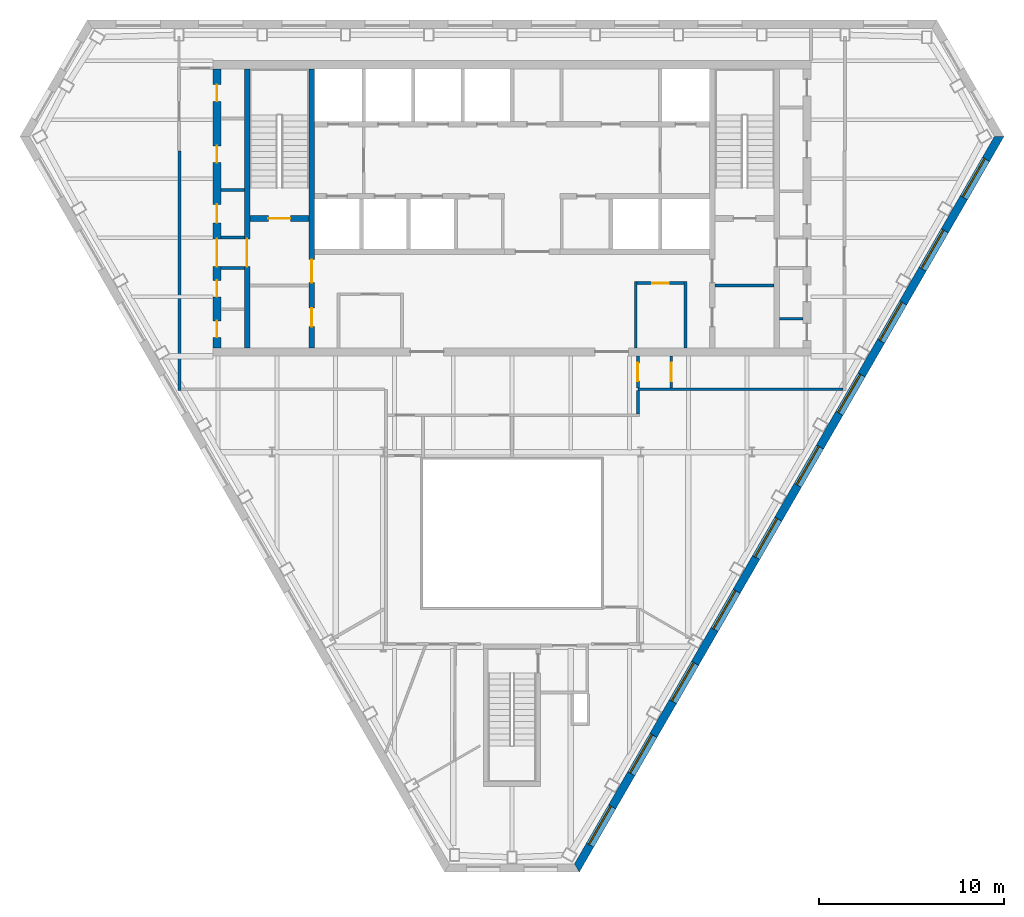
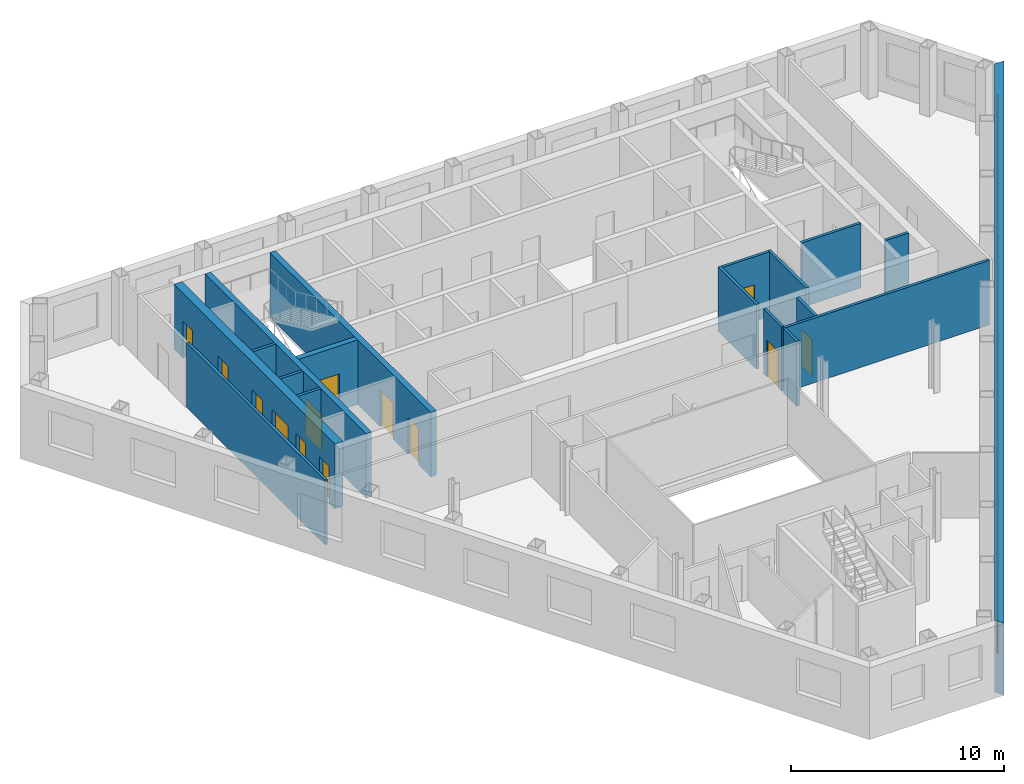
# One storey, part 5 of 11: 18 walls, 13 doors, 10 windows, 23 openings.
"""IFC4 building model written with IfcOpenShell, lengths in metres."""

from ifc_helpers import new_model, si_unit, direction, frame, frame_2d, origin, place, context, subcontext, project, spatial, polyline, rectangle, outline, extrude, material, layer, layer_set, type_object, element, fill, save


model = new_model("IFC4")

# Units and contexts
model_context = context("Model", 3, precision=1e-05, world=origin(), true_north=direction((0.0, 1.0)))
body_context = subcontext(model_context, "Body", "Model", "MODEL_VIEW")
ifc_project = project(units=[si_unit("LENGTHUNIT", "METRE"), si_unit("AREAUNIT", "SQUARE_METRE"), si_unit("VOLUMEUNIT", "CUBIC_METRE"), si_unit("PLANEANGLEUNIT", "RADIAN"), si_unit("MASSUNIT", "GRAM", prefix="KILO")], contexts=[model_context])

# Site, building, storey
site_placement = place(None, origin())
site = spatial("IfcSite", under=ifc_project, at=site_placement, CompositionType="ELEMENT")
building_placement = place(site_placement, origin())
building = spatial("IfcBuilding", under=site, at=building_placement, Name="Njiva Tower", CompositionType="ELEMENT")
storey_placement = place(building_placement, frame((0.0, 0.0, 212.1)))
storey = spatial("IfcBuildingStorey", under=building, at=storey_placement, Name="L47", CompositionType="ELEMENT", Elevation=212.1)

# Walls
ifc_material_1 = material(Name="Blockwork", Category="masonry")
ifc_layer_1 = layer(ifc_material_1, 0.15)
ifc_layer_set_1 = layer_set([ifc_layer_1], Name="Blockwork")
wall_type_1 = type_object("IfcWallType", Name="WT1 Compartment partition 150", PredefinedType="PARTITIONING", material=ifc_layer_set_1)
wall_1_placement = place(storey_placement, frame((11.0, 5.825, 0.0), z_axis=(0.0, 0.0, 1.0), x_axis=(1.0, 0.0, 0.0)))
element("IfcWall", 1, at=wall_1_placement, inside=storey, type_object=wall_type_1, Name="Room wall B", PredefinedType="PARTITIONING", context=body_context, shape_type="SweptSolid", body=[
    extrude(rectangle(XDim=3.2, YDim=0.15, at=frame_2d((1.6, 0.0))), origin(), (0.0, 0.0, 1.0), 3.7),
])
for number, where, z_axis, x_axis, name in (
    (2, (-15.75, 10.9952, 0.0), (0.0, 0.0, 1.0), (1.0, 0.0, 0.0), "Partition strip W10"),
    (3, (14.5, 4.025, 0.0), (0.0, 0.0, 1.0), (1.0, 0.0, 0.0), "Partition strip E00"),
):
    element("IfcWall", number, at=place(storey_placement, frame(where, z_axis=z_axis, x_axis=x_axis)), inside=storey, type_object=wall_type_1, Name=name, PredefinedType="PARTITIONING", context=body_context, shape_type="SweptSolid", body=[
        extrude(rectangle(XDim=1.25, YDim=0.15, at=frame_2d((0.625, 0.0))), origin(), (0.0, 0.0, 1.0), 3.7),
    ])
for number, where, z_axis, x_axis, name in (
    (4, (6.7, 2.45, 0.0), (0.0, 0.0, 1.0), (0.0, 1.0, 0.0), "Information office wall west"),
    (5, (9.4, 2.45, 0.0), (0.0, 0.0, 1.0), (0.0, 1.0, 0.0), "Information office wall east"),
):
    element("IfcWall", number, at=place(storey_placement, frame(where, z_axis=z_axis, x_axis=x_axis)), inside=storey, type_object=wall_type_1, Name=name, PredefinedType="PARTITIONING", context=body_context, shape_type="SweptSolid", body=[
        extrude(rectangle(XDim=3.575, YDim=0.15, at=frame_2d((1.7875, 0.0))), origin(), (0.0, 0.0, 1.0), 3.7),
    ])

# Wall, opening, door
wall_2_placement = place(storey_placement, frame((6.775, 5.95, 0.0), z_axis=(0.0, 0.0, 1.0), x_axis=(1.0, 0.0, 0.0)))
wall_2 = element("IfcWall", 6, at=wall_2_placement, inside=storey, type_object=wall_type_1, Name="Information office wall north", PredefinedType="PARTITIONING", context=body_context, shape_type="SweptSolid", body=[
    extrude(rectangle(XDim=2.55, YDim=0.15, at=frame_2d((1.275, 0.0))), origin(), (0.0, 0.0, 1.0), 3.7),
])
opening_1_placement = place(wall_2_placement, frame((0.825, 0.0, 0.0)))
opening_1 = element("IfcOpeningElement", 7, at=opening_1_placement, cuts=wall_2, Name="Opening S15-D936", PredefinedType="OPENING", context=body_context, shape_type="SweptSolid", body=[
    extrude(rectangle(XDim=0.9, YDim=2.1, at=frame_2d((0.45, 1.05))), frame((0.0, 0.085, 0.0), z_axis=(0.0, -1.0, 0.0), x_axis=(1.0, 0.0, 0.0)), (0.0, 0.0, 1.0), 0.17),
])
ifc_material_2 = material(Name="Steel fire door, painted", Category="steel")
door_type_1 = type_object("IfcDoorType", Name="D6 Fire-rated door 900x2100", OperationType="SINGLE_SWING_LEFT", PredefinedType="DOOR", material=ifc_material_2)
door_1_placement = place(opening_1_placement, origin())
door_1 = element("IfcDoor", 8, at=door_1_placement, inside=storey, type_object=door_type_1, Name="Information office door", OperationType="SINGLE_SWING_RIGHT", OverallHeight=2.1, OverallWidth=0.9, PredefinedType="DOOR", context=body_context, shape_type="SweptSolid", body=[
    extrude(rectangle(XDim=0.9, YDim=2.1, at=frame_2d((0.45, 1.05))), frame((0.0, 0.025, 0.0), z_axis=(0.0, -1.0, 0.0), x_axis=(1.0, 0.0, 0.0)), (0.0, 0.0, 1.0), 0.05),
])
fill(opening_1, door_1)

# Wall, openings, doors
ifc_material_3 = material(Name="Concrete C40/50", Category="concrete")
ifc_layer_2 = layer(ifc_material_3, 0.3)
ifc_layer_set_2 = layer_set([ifc_layer_2], Name="Concrete C40/50")
wall_type_2 = type_object("IfcWallType", Name="WT10 Stair enclosure wall 300", PredefinedType="SHEAR", material=ifc_layer_set_2)
wall_3_placement = place(storey_placement, frame((-10.85, 2.45, 0.0), z_axis=(0.0, 0.0, 1.0), x_axis=(0.0, 1.0, 0.0)))
wall_3 = element("IfcWall", 9, at=wall_3_placement, inside=storey, type_object=wall_type_2, Name="Stair wall west inner", PredefinedType="SHEAR", context=body_context, shape_type="SweptSolid", body=[
    extrude(rectangle(XDim=15.1, YDim=0.3, at=frame_2d((7.55, 0.0))), origin(), (0.0, 0.0, 1.0), 3.7),
])
opening_2_placement = place(wall_3_placement, frame((3.525, 0.0, 0.0)))
opening_2 = element("IfcOpeningElement", 10, at=opening_2_placement, cuts=wall_3, Name="Opening S15-D915", PredefinedType="OPENING", context=body_context, shape_type="SweptSolid", body=[
    extrude(rectangle(XDim=1.25, YDim=2.1, at=frame_2d((0.625, 1.05))), frame((0.0, 0.16, 0.0), z_axis=(0.0, -1.0, 0.0), x_axis=(1.0, 0.0, 0.0)), (0.0, 0.0, 1.0), 0.32),
])
opening_3_placement = place(wall_3_placement, frame((1.15, 0.0, 0.0)))
opening_3 = element("IfcOpeningElement", 11, at=opening_3_placement, cuts=wall_3, Name="Opening S15-D916", PredefinedType="OPENING", context=body_context, shape_type="SweptSolid", body=[
    extrude(rectangle(XDim=1.0, YDim=2.1, at=frame_2d((0.5, 1.05))), frame((0.0, 0.16, 0.0), z_axis=(0.0, -1.0, 0.0), x_axis=(1.0, 0.0, 0.0)), (0.0, 0.0, 1.0), 0.32),
])
ifc_material_4 = material(Name="Steel door, painted", Category="steel")
door_type_2 = type_object("IfcDoorType", Name="D5 Steel door 1000x2100", OperationType="SINGLE_SWING_LEFT", PredefinedType="DOOR", material=ifc_material_4)
door_2_placement = place(opening_3_placement, origin())
door_2 = element("IfcDoor", 12, at=door_2_placement, inside=storey, type_object=door_type_2, Name="Breakout room door", OperationType="SINGLE_SWING_RIGHT", OverallHeight=2.1, OverallWidth=1.0, PredefinedType="DOOR", context=body_context, shape_type="SweptSolid", body=[
    extrude(rectangle(XDim=1.0, YDim=2.1, at=frame_2d((0.5, 1.05))), frame((0.0, 0.025, 0.0), z_axis=(0.0, -1.0, 0.0), x_axis=(1.0, 0.0, 0.0)), (0.0, 0.0, 1.0), 0.05),
])
fill(opening_3, door_2)
ifc_material_5 = material(Name="Glazed steel fire door", Category="steel")
door_type_3 = type_object("IfcDoorType", Name="D8 Vestibule corridor door 1250x2100 glazed", OperationType="SINGLE_SWING_LEFT", PredefinedType="DOOR", material=ifc_material_5)
door_3_placement = place(opening_2_placement, origin())
door_3 = element("IfcDoor", 13, at=door_3_placement, inside=storey, type_object=door_type_3, Name="Stair vestibule corridor door", OperationType="SINGLE_SWING_LEFT", OverallHeight=2.1, OverallWidth=1.25, PredefinedType="DOOR", context=body_context, shape_type="SweptSolid", body=[
    extrude(rectangle(XDim=1.25, YDim=2.1, at=frame_2d((0.625, 1.05))), frame((0.0, 0.025, 0.0), z_axis=(0.0, -1.0, 0.0), x_axis=(1.0, 0.0, 0.0)), (0.0, 0.0, 1.0), 0.05),
])
fill(opening_2, door_3)

# Wall, opening, door
wall_4_placement = place(storey_placement, frame((-14.35, 2.45, 0.0), z_axis=(0.0, 0.0, 1.0), x_axis=(0.0, 1.0, 0.0)))
wall_4 = element("IfcWall", 14, at=wall_4_placement, inside=storey, type_object=wall_type_2, Name="Stair wall west outer", PredefinedType="SHEAR", context=body_context, shape_type="SweptSolid", body=[
    extrude(rectangle(XDim=15.1, YDim=0.3, at=frame_2d((7.55, 0.0))), origin(), (0.0, 0.0, 1.0), 3.7),
])
opening_4_placement = place(wall_4_placement, frame((4.4, 0.0, 0.0)))
opening_4 = element("IfcOpeningElement", 15, at=opening_4_placement, cuts=wall_4, Name="Opening S15-D921", PredefinedType="OPENING", context=body_context, shape_type="SweptSolid", body=[
    extrude(rectangle(XDim=1.5, YDim=2.1, at=frame_2d((0.75, 1.05))), frame((0.0, 0.16, 0.0), z_axis=(0.0, -1.0, 0.0), x_axis=(1.0, 0.0, 0.0)), (0.0, 0.0, 1.0), 0.32),
])
door_type_4 = type_object("IfcDoorType", Name="D10 Exit door double 1500x2100 glazed", OperationType="DOUBLE_DOOR_SINGLE_SWING", PredefinedType="DOOR", material=ifc_material_5)
door_4_placement = place(opening_4_placement, origin())
door_4 = element("IfcDoor", 16, at=door_4_placement, inside=storey, type_object=door_type_4, Name="Stair A passage door", OperationType="DOUBLE_DOOR_SINGLE_SWING", OverallHeight=2.1, OverallWidth=1.5, PredefinedType="DOOR", context=body_context, shape_type="SweptSolid", body=[
    extrude(rectangle(XDim=1.5, YDim=2.1, at=frame_2d((0.75, 1.05))), frame((0.0, 0.025, 0.0), z_axis=(0.0, -1.0, 0.0), x_axis=(1.0, 0.0, 0.0)), (0.0, 0.0, 1.0), 0.05),
])
fill(opening_4, door_4)

wall_5_placement = place(storey_placement, frame((-14.2, 9.45, 0.0), z_axis=(0.0, 0.0, 1.0), x_axis=(1.0, 0.0, 0.0)))
wall_5 = element("IfcWall", 17, at=wall_5_placement, inside=storey, type_object=wall_type_2, Name="Stair A south wall", PredefinedType="SHEAR", context=body_context, shape_type="SweptSolid", body=[
    extrude(rectangle(XDim=3.2, YDim=0.3, at=frame_2d((1.6, 0.0))), origin(), (0.0, 0.0, 1.0), 3.7),
])
opening_5_placement = place(wall_5_placement, frame((1.0, 0.0, 0.0)))
opening_5 = element("IfcOpeningElement", 18, at=opening_5_placement, cuts=wall_5, Name="Opening S15-D914", PredefinedType="OPENING", context=body_context, shape_type="SweptSolid", body=[
    extrude(rectangle(XDim=1.2, YDim=2.1, at=frame_2d((0.6, 1.05))), frame((0.0, 0.16, 0.0), z_axis=(0.0, -1.0, 0.0), x_axis=(1.0, 0.0, 0.0)), (0.0, 0.0, 1.0), 0.32),
])
door_type_5 = type_object("IfcDoorType", Name="D7 Stair vestibule door 1200x2100 glazed", OperationType="SINGLE_SWING_LEFT", PredefinedType="DOOR", material=ifc_material_5)
door_5_placement = place(opening_5_placement, origin())
door_5 = element("IfcDoor", 19, at=door_5_placement, inside=storey, type_object=door_type_5, Name="Stair A door", OperationType="SINGLE_SWING_LEFT", OverallHeight=2.1, OverallWidth=1.2, PredefinedType="DOOR", context=body_context, shape_type="SweptSolid", body=[
    extrude(rectangle(XDim=1.2, YDim=2.1, at=frame_2d((0.6, 1.05))), frame((0.0, 0.025, 0.0), z_axis=(0.0, -1.0, 0.0), x_axis=(1.0, 0.0, 0.0)), (0.0, 0.0, 1.0), 0.05),
])
fill(opening_5, door_5)

# Wall, openings, doors
ifc_material_6 = material(Name="Concrete C60/75", Category="concrete")
ifc_layer_3 = layer(ifc_material_6, 0.45)
ifc_layer_set_3 = layer_set([ifc_layer_3], Name="Concrete C60/75")
wall_type_3 = type_object("IfcWallType", Name="WT12 Core wall 450", PredefinedType="SHEAR", material=ifc_layer_set_3)
wall_6_placement = place(storey_placement, frame((-15.975, 2.45, 0.0), z_axis=(0.0, 0.0, 1.0), x_axis=(0.0, 1.0, 0.0)))
wall_6 = element("IfcWall", 20, at=wall_6_placement, inside=storey, type_object=wall_type_3, Name="Core wall west", PredefinedType="SHEAR", context=body_context, shape_type="SweptSolid", body=[
    extrude(rectangle(XDim=15.1, YDim=0.45, at=frame_2d((7.55, 0.0))), origin(), (0.0, 0.0, 1.0), 3.7),
])
opening_6_placement = place(wall_6_placement, frame((4.4, 0.0, 0.0)))
opening_6 = element("IfcOpeningElement", 21, at=opening_6_placement, cuts=wall_6, Name="Opening S15-D922", PredefinedType="OPENING", context=body_context, shape_type="SweptSolid", body=[
    extrude(rectangle(XDim=1.5, YDim=2.1, at=frame_2d((0.75, 1.05))), frame((0.0, 0.235, 0.0), z_axis=(0.0, -1.0, 0.0), x_axis=(1.0, 0.0, 0.0)), (0.0, 0.0, 1.0), 0.47),
])
opening_7_placement = place(wall_6_placement, frame((0.5557, 0.0, 0.0)))
opening_7 = element("IfcOpeningElement", 22, at=opening_7_placement, cuts=wall_6, Name="Opening S15-D923", PredefinedType="OPENING", context=body_context, shape_type="SweptSolid", body=[
    extrude(rectangle(XDim=0.9, YDim=2.1, at=frame_2d((0.45, 1.05))), frame((0.0, 0.235, 0.0), z_axis=(0.0, -1.0, 0.0), x_axis=(1.0, 0.0, 0.0)), (0.0, 0.0, 1.0), 0.47),
])
opening_8_placement = place(wall_6_placement, frame((2.7557, 0.0, 0.0)))
opening_8 = element("IfcOpeningElement", 23, at=opening_8_placement, cuts=wall_6, Name="Opening S15-D924", PredefinedType="OPENING", context=body_context, shape_type="SweptSolid", body=[
    extrude(rectangle(XDim=0.9, YDim=2.1, at=frame_2d((0.45, 1.05))), frame((0.0, 0.235, 0.0), z_axis=(0.0, -1.0, 0.0), x_axis=(1.0, 0.0, 0.0)), (0.0, 0.0, 1.0), 0.47),
])
opening_9_placement = place(wall_6_placement, frame((6.7601, 0.0, 0.0)))
opening_9 = element("IfcOpeningElement", 24, at=opening_9_placement, cuts=wall_6, Name="Opening S15-D925", PredefinedType="OPENING", context=body_context, shape_type="SweptSolid", body=[
    extrude(rectangle(XDim=1.0, YDim=2.1, at=frame_2d((0.5, 1.05))), frame((0.0, 0.235, 0.0), z_axis=(0.0, -1.0, 0.0), x_axis=(1.0, 0.0, 0.0)), (0.0, 0.0, 1.0), 0.47),
])
opening_10_placement = place(wall_6_placement, frame((10.0319, 0.0, 0.0)))
opening_10 = element("IfcOpeningElement", 25, at=opening_10_placement, cuts=wall_6, Name="Opening S15-D926", PredefinedType="OPENING", context=body_context, shape_type="SweptSolid", body=[
    extrude(rectangle(XDim=0.9, YDim=2.1, at=frame_2d((0.45, 1.05))), frame((0.0, 0.235, 0.0), z_axis=(0.0, -1.0, 0.0), x_axis=(1.0, 0.0, 0.0)), (0.0, 0.0, 1.0), 0.47),
])
opening_11_placement = place(wall_6_placement, frame((13.3468, 0.0, 0.0)))
opening_11 = element("IfcOpeningElement", 26, at=opening_11_placement, cuts=wall_6, Name="Opening S15-D927", PredefinedType="OPENING", context=body_context, shape_type="SweptSolid", body=[
    extrude(rectangle(XDim=0.9, YDim=2.1, at=frame_2d((0.45, 1.05))), frame((0.0, 0.235, 0.0), z_axis=(0.0, -1.0, 0.0), x_axis=(1.0, 0.0, 0.0)), (0.0, 0.0, 1.0), 0.47),
])
door_6_placement = place(opening_6_placement, origin())
door_6 = element("IfcDoor", 27, at=door_6_placement, inside=storey, type_object=door_type_4, Name="Stair A corridor door", OperationType="DOUBLE_DOOR_SINGLE_SWING", OverallHeight=2.1, OverallWidth=1.5, PredefinedType="DOOR", context=body_context, shape_type="SweptSolid", body=[
    extrude(rectangle(XDim=1.5, YDim=2.1, at=frame_2d((0.75, 1.05))), frame((0.0, 0.025, 0.0), z_axis=(0.0, -1.0, 0.0), x_axis=(1.0, 0.0, 0.0)), (0.0, 0.0, 1.0), 0.05),
])
fill(opening_6, door_6)
door_type_6 = type_object("IfcDoorType", Name="D4 Riser door 900x2100", OperationType="SINGLE_SWING_LEFT", PredefinedType="DOOR", material=ifc_material_4)
door_7_placement = place(opening_11_placement, origin())
door_7 = element("IfcDoor", 28, at=door_7_placement, inside=storey, type_object=door_type_6, Name="Cable riser door", OperationType="SINGLE_SWING_LEFT", OverallHeight=2.1, OverallWidth=0.9, PredefinedType="DOOR", context=body_context, shape_type="SweptSolid", body=[
    extrude(rectangle(XDim=0.9, YDim=2.1, at=frame_2d((0.45, 1.05))), frame((0.0, 0.025, 0.0), z_axis=(0.0, -1.0, 0.0), x_axis=(1.0, 0.0, 0.0)), (0.0, 0.0, 1.0), 0.05),
])
fill(opening_11, door_7)
door_8_placement = place(opening_9_placement, origin())
door_8 = element("IfcDoor", 29, at=door_8_placement, inside=storey, type_object=door_type_2, Name="Telecoms room door", OperationType="SINGLE_SWING_RIGHT", OverallHeight=2.1, OverallWidth=1.0, PredefinedType="DOOR", context=body_context, shape_type="SweptSolid", body=[
    extrude(rectangle(XDim=1.0, YDim=2.1, at=frame_2d((0.5, 1.05))), frame((0.0, 0.025, 0.0), z_axis=(0.0, -1.0, 0.0), x_axis=(1.0, 0.0, 0.0)), (0.0, 0.0, 1.0), 0.05),
])
fill(opening_9, door_8)
door_9_placement = place(opening_7_placement, origin())
door_9 = element("IfcDoor", 30, at=door_9_placement, inside=storey, type_object=door_type_1, Name="Cable store door", OperationType="SINGLE_SWING_RIGHT", OverallHeight=2.1, OverallWidth=0.9, PredefinedType="DOOR", context=body_context, shape_type="SweptSolid", body=[
    extrude(rectangle(XDim=0.9, YDim=2.1, at=frame_2d((0.45, 1.05))), frame((0.0, 0.025, 0.0), z_axis=(0.0, -1.0, 0.0), x_axis=(1.0, 0.0, 0.0)), (0.0, 0.0, 1.0), 0.05),
])
fill(opening_7, door_9)
door_10_placement = place(opening_8_placement, origin())
door_10 = element("IfcDoor", 31, at=door_10_placement, inside=storey, type_object=door_type_1, Name="Cable store door", OperationType="SINGLE_SWING_RIGHT", OverallHeight=2.1, OverallWidth=0.9, PredefinedType="DOOR", context=body_context, shape_type="SweptSolid", body=[
    extrude(rectangle(XDim=0.9, YDim=2.1, at=frame_2d((0.45, 1.05))), frame((0.0, 0.025, 0.0), z_axis=(0.0, -1.0, 0.0), x_axis=(1.0, 0.0, 0.0)), (0.0, 0.0, 1.0), 0.05),
])
fill(opening_8, door_10)
door_11_placement = place(opening_10_placement, origin())
door_11 = element("IfcDoor", 32, at=door_11_placement, inside=storey, type_object=door_type_1, Name="Cable store door", OperationType="SINGLE_SWING_LEFT", OverallHeight=2.1, OverallWidth=0.9, PredefinedType="DOOR", context=body_context, shape_type="SweptSolid", body=[
    extrude(rectangle(XDim=0.9, YDim=2.1, at=frame_2d((0.45, 1.05))), frame((0.0, 0.025, 0.0), z_axis=(0.0, -1.0, 0.0), x_axis=(1.0, 0.0, 0.0)), (0.0, 0.0, 1.0), 0.05),
])
fill(opening_10, door_11)

# Walls
ifc_material_7 = material(Name="Gypsum board on steel studs", Category="gypsum")
ifc_layer_4 = layer(ifc_material_7, 0.15)
ifc_layer_set_4 = layer_set([ifc_layer_4], Name="Gypsum board on steel studs")
wall_type_4 = type_object("IfcWallType", Name="WT21 Compartment wall 150", PredefinedType="PARTITIONING", material=ifc_layer_set_4)
wall_7_placement = place(storey_placement, frame((-18.0, 0.125, 0.0), z_axis=(0.0, 0.0, 1.0), x_axis=(0.0, 1.0, 0.0)))
element("IfcWall", 33, at=wall_7_placement, inside=storey, type_object=wall_type_4, Name="Partition S15-P003", PredefinedType="PARTITIONING", context=body_context, shape_type="SweptSolid", body=[
    extrude(rectangle(XDim=12.98, YDim=0.15, at=frame_2d((6.49, 0.0))), origin(), (0.0, 0.0, 1.0), 3.7),
])
wall_8_placement = place(storey_placement, frame((6.82, -1.125, 0.0), z_axis=(0.0, 0.0, 1.0), x_axis=(0.0, 1.0, 0.0)))
element("IfcWall", 34, at=wall_8_placement, inside=storey, type_object=wall_type_4, Name="Partition S15-P020", PredefinedType="PARTITIONING", context=body_context, shape_type="SweptSolid", body=[
    extrude(rectangle(XDim=1.25, YDim=0.15, at=frame_2d((0.625, 0.0))), origin(), (0.0, 0.0, 1.0), 3.7),
])

# Wall, opening, door
wall_9_placement = place(storey_placement, frame((6.82, 0.275, 0.0), z_axis=(0.0, 0.0, 1.0), x_axis=(0.0, 1.0, 0.0)))
wall_9 = element("IfcWall", 35, at=wall_9_placement, inside=storey, type_object=wall_type_4, Name="Partition S15-P021", PredefinedType="PARTITIONING", context=body_context, shape_type="SweptSolid", body=[
    extrude(rectangle(XDim=1.725, YDim=0.15, at=frame_2d((0.8625, 0.0))), origin(), (0.0, 0.0, 1.0), 3.7),
])
opening_12_placement = place(wall_9_placement, frame((0.362, 0.0, 0.0)))
opening_12 = element("IfcOpeningElement", 36, at=opening_12_placement, cuts=wall_9, Name="Opening S15-D011", PredefinedType="OPENING", context=body_context, shape_type="SweptSolid", body=[
    extrude(rectangle(XDim=1.0, YDim=2.1, at=frame_2d((0.5, 1.05))), frame((0.0, 0.085, 0.0), z_axis=(0.0, -1.0, 0.0), x_axis=(1.0, 0.0, 0.0)), (0.0, 0.0, 1.0), 0.17),
])
ifc_material_8 = material(Name="Steel fire door set", Category="steel")
door_type_7 = type_object("IfcDoorType", Name="D37 Fire door 1000x2100", OperationType="SINGLE_SWING_LEFT", PredefinedType="DOOR", material=ifc_material_8)
door_12_placement = place(opening_12_placement, origin())
door_12 = element("IfcDoor", 37, at=door_12_placement, inside=storey, type_object=door_type_7, Name="Door S15-D011", OperationType="SINGLE_SWING_LEFT", OverallHeight=2.1, OverallWidth=1.0, PredefinedType="DOOR", context=body_context, shape_type="SweptSolid", body=[
    extrude(rectangle(XDim=1.0, YDim=2.1, at=frame_2d((0.5, 1.05))), frame((0.0, 0.025, 0.0), z_axis=(0.0, -1.0, 0.0), x_axis=(1.0, 0.0, 0.0)), (0.0, 0.0, 1.0), 0.05),
])
fill(opening_12, door_12)

# Wall
wall_10_placement = place(storey_placement, frame((6.824, 0.2, 0.0), z_axis=(0.0, 0.0, 1.0), x_axis=(1.0, 0.0, 0.0)))
element("IfcWall", 38, at=wall_10_placement, inside=storey, type_object=wall_type_4, Name="Partition S15-P022", PredefinedType="PARTITIONING", context=body_context, shape_type="SweptSolid", body=[
    extrude(rectangle(XDim=11.101, YDim=0.15, at=frame_2d((5.5505, 0.0))), origin(), (0.0, 0.0, 1.0), 3.7),
])

# Wall, opening, door
wall_11_placement = place(storey_placement, frame((8.62, 0.275, 0.0), z_axis=(0.0, 0.0, 1.0), x_axis=(0.0, 1.0, 0.0)))
wall_11 = element("IfcWall", 39, at=wall_11_placement, inside=storey, type_object=wall_type_4, Name="Partition S15-P024", PredefinedType="PARTITIONING", context=body_context, shape_type="SweptSolid", body=[
    extrude(rectangle(XDim=1.725, YDim=0.15, at=frame_2d((0.8625, 0.0))), origin(), (0.0, 0.0, 1.0), 3.7),
])
opening_13_placement = place(wall_11_placement, frame((0.363, 0.0, 0.0)))
opening_13 = element("IfcOpeningElement", 40, at=opening_13_placement, cuts=wall_11, Name="Opening S15-D012", PredefinedType="OPENING", context=body_context, shape_type="SweptSolid", body=[
    extrude(rectangle(XDim=1.0, YDim=2.1, at=frame_2d((0.5, 1.05))), frame((0.0, 0.085, 0.0), z_axis=(0.0, -1.0, 0.0), x_axis=(1.0, 0.0, 0.0)), (0.0, 0.0, 1.0), 0.17),
])
door_13_placement = place(opening_13_placement, origin())
door_13 = element("IfcDoor", 41, at=door_13_placement, inside=storey, type_object=door_type_7, Name="Door S15-D012", OperationType="SINGLE_SWING_RIGHT", OverallHeight=2.1, OverallWidth=1.0, PredefinedType="DOOR", context=body_context, shape_type="SweptSolid", body=[
    extrude(rectangle(XDim=1.0, YDim=2.1, at=frame_2d((0.5, 1.05))), frame((0.0, 0.025, 0.0), z_axis=(0.0, -1.0, 0.0), x_axis=(1.0, 0.0, 0.0)), (0.0, 0.0, 1.0), 0.05),
])
fill(opening_13, door_13)

# Walls
ifc_layer_5 = layer(ifc_material_1, 0.15)
ifc_layer_set_5 = layer_set([ifc_layer_5], Name="Blockwork")
wall_type_5 = type_object("IfcWallType", Name="WT4 Stair partition 150", PredefinedType="PARTITIONING", material=ifc_layer_set_5)
for number, where, z_axis, x_axis, name in (
    (42, (-15.75, 6.775, 0.0), (0.0, 0.0, 1.0), (1.0, 0.0, 0.0), "Stair A exit passage wall south"),
    (43, (-15.75, 8.425, 0.0), (0.0, 0.0, 1.0), (1.0, 0.0, 0.0), "Stair A exit passage wall north"),
):
    element("IfcWall", number, at=place(storey_placement, frame(where, z_axis=z_axis, x_axis=x_axis)), inside=storey, type_object=wall_type_5, Name=name, PredefinedType="PARTITIONING", context=body_context, shape_type="SweptSolid", body=[
        extrude(rectangle(XDim=1.25, YDim=0.15, at=frame_2d((0.625, 0.0))), origin(), (0.0, 0.0, 1.0), 3.7),
    ])

# Wall, openings, windows
ifc_material_9 = material(Name="Brick masonry", Category="masonry")
ifc_layer_6 = layer(ifc_material_9, 0.45)
ifc_layer_set_6 = layer_set([ifc_layer_6], Name="Brick masonry")
wall_type_6 = type_object("IfcWallType", Name="WT90 Brick pier and spandrel wall 450", PredefinedType="SOLIDWALL", material=ifc_layer_set_6)
wall_12_placement = place(storey_placement, frame((3.5151, -25.7255, -0.4), z_axis=(0.0, 0.0, 1.0), x_axis=(0.499999764979, 0.866025539474, 0.0)))
wall_12 = element("IfcWall", 44, at=wall_12_placement, inside=storey, type_object=wall_type_6, Name="Facade wall SE", PredefinedType="SOLIDWALL", context=body_context, shape_type="SweptSolid", body=[
    extrude(outline(polyline([(-0.1299, -0.225), (45.8701, -0.225), (45.6103, 0.225), (0.1299, 0.225), (-0.1299, -0.225)])), origin(), (0.0, 0.0, 1.0), 4.12),
])
opening_14_placement = place(wall_12_placement, frame((1.4242, 0.0, 1.3)))
opening_14 = element("IfcOpeningElement", 45, at=opening_14_placement, cuts=wall_12, Name="Opening S15-W23", PredefinedType="OPENING", context=body_context, shape_type="SweptSolid", body=[
    extrude(rectangle(XDim=2.4, YDim=2.0, at=frame_2d((1.2, 1.0))), frame((0.0, 0.235, 0.0), z_axis=(0.0, -1.0, 0.0), x_axis=(1.0, 0.0, 0.0)), (0.0, 0.0, 1.0), 0.47),
])
opening_15_placement = place(wall_12_placement, frame((5.8934, 0.0, 1.3)))
opening_15 = element("IfcOpeningElement", 46, at=opening_15_placement, cuts=wall_12, Name="Opening S15-W24", PredefinedType="OPENING", context=body_context, shape_type="SweptSolid", body=[
    extrude(rectangle(XDim=2.4, YDim=2.0, at=frame_2d((1.2, 1.0))), frame((0.0, 0.235, 0.0), z_axis=(0.0, -1.0, 0.0), x_axis=(1.0, 0.0, 0.0)), (0.0, 0.0, 1.0), 0.47),
])
opening_16_placement = place(wall_12_placement, frame((10.401, 0.0, 1.3)))
opening_16 = element("IfcOpeningElement", 47, at=opening_16_placement, cuts=wall_12, Name="Opening S15-W25", PredefinedType="OPENING", context=body_context, shape_type="SweptSolid", body=[
    extrude(rectangle(XDim=2.4, YDim=2.0, at=frame_2d((1.2, 1.0))), frame((0.0, 0.235, 0.0), z_axis=(0.0, -1.0, 0.0), x_axis=(1.0, 0.0, 0.0)), (0.0, 0.0, 1.0), 0.47),
])
opening_17_placement = place(wall_12_placement, frame((14.9087, 0.0, 1.3)))
opening_17 = element("IfcOpeningElement", 48, at=opening_17_placement, cuts=wall_12, Name="Opening S15-W26", PredefinedType="OPENING", context=body_context, shape_type="SweptSolid", body=[
    extrude(rectangle(XDim=2.4, YDim=2.0, at=frame_2d((1.2, 1.0))), frame((0.0, 0.235, 0.0), z_axis=(0.0, -1.0, 0.0), x_axis=(1.0, 0.0, 0.0)), (0.0, 0.0, 1.0), 0.47),
])
opening_18_placement = place(wall_12_placement, frame((19.4163, 0.0, 1.3)))
opening_18 = element("IfcOpeningElement", 49, at=opening_18_placement, cuts=wall_12, Name="Opening S15-W27", PredefinedType="OPENING", context=body_context, shape_type="SweptSolid", body=[
    extrude(rectangle(XDim=2.4, YDim=2.0, at=frame_2d((1.2, 1.0))), frame((0.0, 0.235, 0.0), z_axis=(0.0, -1.0, 0.0), x_axis=(1.0, 0.0, 0.0)), (0.0, 0.0, 1.0), 0.47),
])
opening_19_placement = place(wall_12_placement, frame((23.9239, 0.0, 1.3)))
opening_19 = element("IfcOpeningElement", 50, at=opening_19_placement, cuts=wall_12, Name="Opening S15-W28", PredefinedType="OPENING", context=body_context, shape_type="SweptSolid", body=[
    extrude(rectangle(XDim=2.4, YDim=2.0, at=frame_2d((1.2, 1.0))), frame((0.0, 0.235, 0.0), z_axis=(0.0, -1.0, 0.0), x_axis=(1.0, 0.0, 0.0)), (0.0, 0.0, 1.0), 0.47),
])
opening_20_placement = place(wall_12_placement, frame((28.4315, 0.0, 1.3)))
opening_20 = element("IfcOpeningElement", 51, at=opening_20_placement, cuts=wall_12, Name="Opening S15-W29", PredefinedType="OPENING", context=body_context, shape_type="SweptSolid", body=[
    extrude(rectangle(XDim=2.4, YDim=2.0, at=frame_2d((1.2, 1.0))), frame((0.0, 0.235, 0.0), z_axis=(0.0, -1.0, 0.0), x_axis=(1.0, 0.0, 0.0)), (0.0, 0.0, 1.0), 0.47),
])
opening_21_placement = place(wall_12_placement, frame((32.9391, 0.0, 1.3)))
opening_21 = element("IfcOpeningElement", 52, at=opening_21_placement, cuts=wall_12, Name="Opening S15-W30", PredefinedType="OPENING", context=body_context, shape_type="SweptSolid", body=[
    extrude(rectangle(XDim=2.4, YDim=2.0, at=frame_2d((1.2, 1.0))), frame((0.0, 0.235, 0.0), z_axis=(0.0, -1.0, 0.0), x_axis=(1.0, 0.0, 0.0)), (0.0, 0.0, 1.0), 0.47),
])
opening_22_placement = place(wall_12_placement, frame((37.4468, 0.0, 1.3)))
opening_22 = element("IfcOpeningElement", 53, at=opening_22_placement, cuts=wall_12, Name="Opening S15-W31", PredefinedType="OPENING", context=body_context, shape_type="SweptSolid", body=[
    extrude(rectangle(XDim=2.4, YDim=2.0, at=frame_2d((1.2, 1.0))), frame((0.0, 0.235, 0.0), z_axis=(0.0, -1.0, 0.0), x_axis=(1.0, 0.0, 0.0)), (0.0, 0.0, 1.0), 0.47),
])
opening_23_placement = place(wall_12_placement, frame((41.916, 0.0, 1.3)))
opening_23 = element("IfcOpeningElement", 54, at=opening_23_placement, cuts=wall_12, Name="Opening S15-W32", PredefinedType="OPENING", context=body_context, shape_type="SweptSolid", body=[
    extrude(rectangle(XDim=2.4, YDim=2.0, at=frame_2d((1.2, 1.0))), frame((0.0, 0.235, 0.0), z_axis=(0.0, -1.0, 0.0), x_axis=(1.0, 0.0, 0.0)), (0.0, 0.0, 1.0), 0.47),
])
ifc_material_10 = material(Name="Clear glazing in aluminium frame", Category="aluminium")
window_type = type_object("IfcWindowType", Name="W90 Deep-set window 2400x2000", PartitioningType="SINGLE_PANEL", PredefinedType="WINDOW", material=ifc_material_10)
window_1_placement = place(opening_14_placement, origin())
window_1 = element("IfcWindow", 55, at=window_1_placement, inside=storey, type_object=window_type, Name="Window", OverallHeight=2.0, OverallWidth=2.4, PartitioningType="SINGLE_PANEL", PredefinedType="WINDOW", context=body_context, shape_type="SweptSolid", body=[
    extrude(rectangle(XDim=2.4, YDim=2.0, at=frame_2d((1.2, 1.0))), frame((0.0, 0.105, 0.0), z_axis=(0.0, -1.0, 0.0), x_axis=(1.0, 0.0, 0.0)), (0.0, 0.0, 1.0), 0.06),
])
fill(opening_14, window_1)
window_2_placement = place(opening_15_placement, origin())
window_2 = element("IfcWindow", 56, at=window_2_placement, inside=storey, type_object=window_type, Name="Window", OverallHeight=2.0, OverallWidth=2.4, PartitioningType="SINGLE_PANEL", PredefinedType="WINDOW", context=body_context, shape_type="SweptSolid", body=[
    extrude(rectangle(XDim=2.4, YDim=2.0, at=frame_2d((1.2, 1.0))), frame((0.0, 0.105, 0.0), z_axis=(0.0, -1.0, 0.0), x_axis=(1.0, 0.0, 0.0)), (0.0, 0.0, 1.0), 0.06),
])
fill(opening_15, window_2)
window_3_placement = place(opening_16_placement, origin())
window_3 = element("IfcWindow", 57, at=window_3_placement, inside=storey, type_object=window_type, Name="Window", OverallHeight=2.0, OverallWidth=2.4, PartitioningType="SINGLE_PANEL", PredefinedType="WINDOW", context=body_context, shape_type="SweptSolid", body=[
    extrude(rectangle(XDim=2.4, YDim=2.0, at=frame_2d((1.2, 1.0))), frame((0.0, 0.105, 0.0), z_axis=(0.0, -1.0, 0.0), x_axis=(1.0, 0.0, 0.0)), (0.0, 0.0, 1.0), 0.06),
])
fill(opening_16, window_3)
window_4_placement = place(opening_17_placement, origin())
window_4 = element("IfcWindow", 58, at=window_4_placement, inside=storey, type_object=window_type, Name="Window", OverallHeight=2.0, OverallWidth=2.4, PartitioningType="SINGLE_PANEL", PredefinedType="WINDOW", context=body_context, shape_type="SweptSolid", body=[
    extrude(rectangle(XDim=2.4, YDim=2.0, at=frame_2d((1.2, 1.0))), frame((0.0, 0.105, 0.0), z_axis=(0.0, -1.0, 0.0), x_axis=(1.0, 0.0, 0.0)), (0.0, 0.0, 1.0), 0.06),
])
fill(opening_17, window_4)
window_5_placement = place(opening_18_placement, origin())
window_5 = element("IfcWindow", 59, at=window_5_placement, inside=storey, type_object=window_type, Name="Window", OverallHeight=2.0, OverallWidth=2.4, PartitioningType="SINGLE_PANEL", PredefinedType="WINDOW", context=body_context, shape_type="SweptSolid", body=[
    extrude(rectangle(XDim=2.4, YDim=2.0, at=frame_2d((1.2, 1.0))), frame((0.0, 0.105, 0.0), z_axis=(0.0, -1.0, 0.0), x_axis=(1.0, 0.0, 0.0)), (0.0, 0.0, 1.0), 0.06),
])
fill(opening_18, window_5)
window_6_placement = place(opening_19_placement, origin())
window_6 = element("IfcWindow", 60, at=window_6_placement, inside=storey, type_object=window_type, Name="Window", OverallHeight=2.0, OverallWidth=2.4, PartitioningType="SINGLE_PANEL", PredefinedType="WINDOW", context=body_context, shape_type="SweptSolid", body=[
    extrude(rectangle(XDim=2.4, YDim=2.0, at=frame_2d((1.2, 1.0))), frame((0.0, 0.105, 0.0), z_axis=(0.0, -1.0, 0.0), x_axis=(1.0, 0.0, 0.0)), (0.0, 0.0, 1.0), 0.06),
])
fill(opening_19, window_6)
window_7_placement = place(opening_20_placement, origin())
window_7 = element("IfcWindow", 61, at=window_7_placement, inside=storey, type_object=window_type, Name="Window", OverallHeight=2.0, OverallWidth=2.4, PartitioningType="SINGLE_PANEL", PredefinedType="WINDOW", context=body_context, shape_type="SweptSolid", body=[
    extrude(rectangle(XDim=2.4, YDim=2.0, at=frame_2d((1.2, 1.0))), frame((0.0, 0.105, 0.0), z_axis=(0.0, -1.0, 0.0), x_axis=(1.0, 0.0, 0.0)), (0.0, 0.0, 1.0), 0.06),
])
fill(opening_20, window_7)
window_8_placement = place(opening_21_placement, origin())
window_8 = element("IfcWindow", 62, at=window_8_placement, inside=storey, type_object=window_type, Name="Window", OverallHeight=2.0, OverallWidth=2.4, PartitioningType="SINGLE_PANEL", PredefinedType="WINDOW", context=body_context, shape_type="SweptSolid", body=[
    extrude(rectangle(XDim=2.4, YDim=2.0, at=frame_2d((1.2, 1.0))), frame((0.0, 0.105, 0.0), z_axis=(0.0, -1.0, 0.0), x_axis=(1.0, 0.0, 0.0)), (0.0, 0.0, 1.0), 0.06),
])
fill(opening_21, window_8)
window_9_placement = place(opening_22_placement, origin())
window_9 = element("IfcWindow", 63, at=window_9_placement, inside=storey, type_object=window_type, Name="Window", OverallHeight=2.0, OverallWidth=2.4, PartitioningType="SINGLE_PANEL", PredefinedType="WINDOW", context=body_context, shape_type="SweptSolid", body=[
    extrude(rectangle(XDim=2.4, YDim=2.0, at=frame_2d((1.2, 1.0))), frame((0.0, 0.105, 0.0), z_axis=(0.0, -1.0, 0.0), x_axis=(1.0, 0.0, 0.0)), (0.0, 0.0, 1.0), 0.06),
])
fill(opening_22, window_9)
window_10_placement = place(opening_23_placement, origin())
window_10 = element("IfcWindow", 64, at=window_10_placement, inside=storey, type_object=window_type, Name="Window", OverallHeight=2.0, OverallWidth=2.4, PartitioningType="SINGLE_PANEL", PredefinedType="WINDOW", context=body_context, shape_type="SweptSolid", body=[
    extrude(rectangle(XDim=2.4, YDim=2.0, at=frame_2d((1.2, 1.0))), frame((0.0, 0.105, 0.0), z_axis=(0.0, -1.0, 0.0), x_axis=(1.0, 0.0, 0.0)), (0.0, 0.0, 1.0), 0.06),
])
fill(opening_23, window_10)

save(model, "model.ifc")
